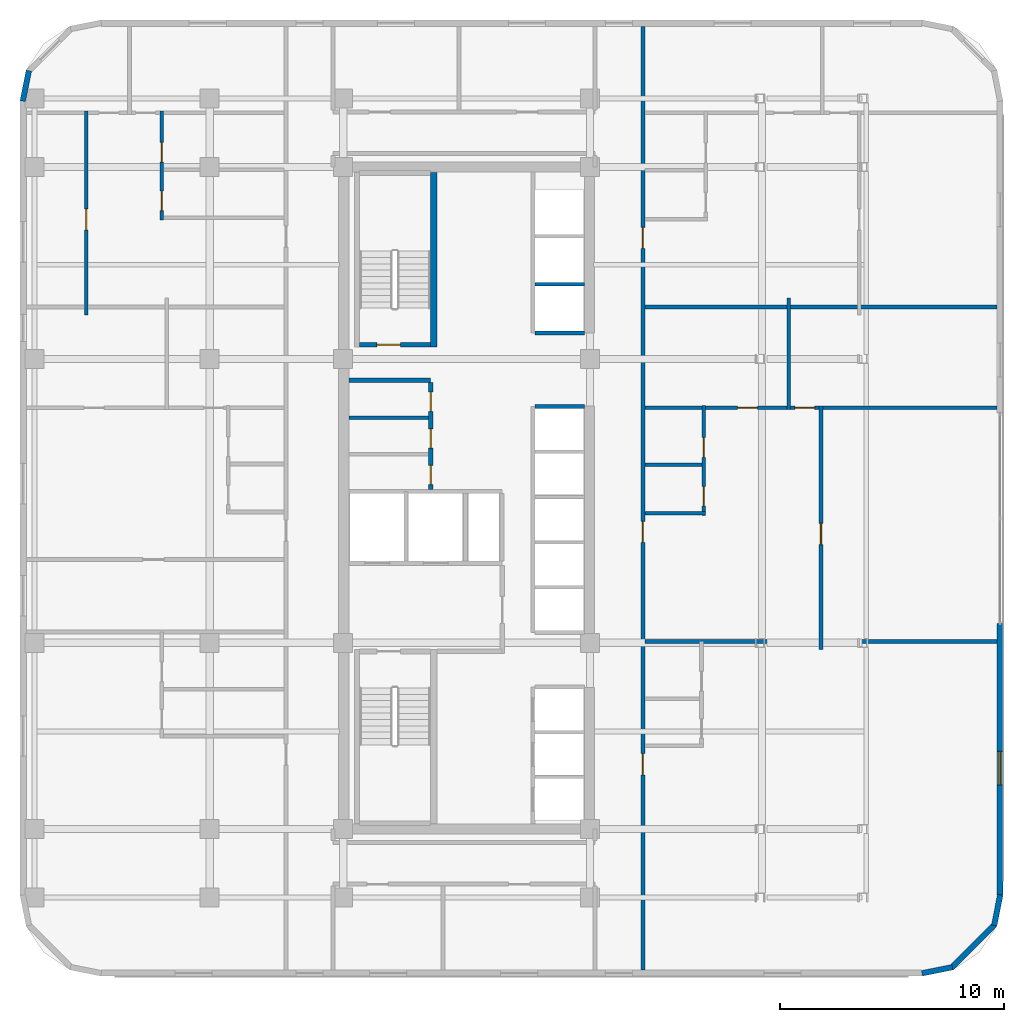
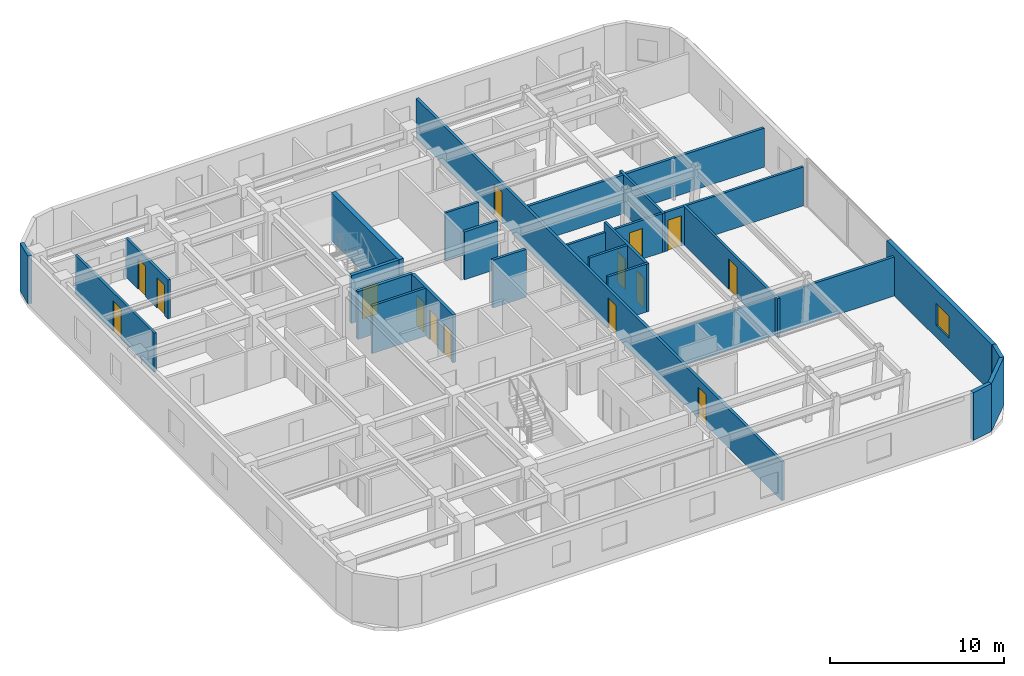
# One storey, part 6 of 12: 24 walls, 15 doors, 1 window, 16 openings.
"""IFC4 building model written with IfcOpenShell, lengths in metres."""

from ifc_helpers import new_model, si_unit, direction, frame, frame_2d, origin, place, context, subcontext, project, spatial, rectangle, extrude, material, layer, layer_set, type_object, element, fill, save


model = new_model("IFC4")

# Units and contexts
model_context = context("Model", 3, precision=1e-05, world=origin(), true_north=direction((0.0, 1.0)))
body_context = subcontext(model_context, "Body", "Model", "MODEL_VIEW")
ifc_project = project(units=[si_unit("LENGTHUNIT", "METRE"), si_unit("AREAUNIT", "SQUARE_METRE"), si_unit("VOLUMEUNIT", "CUBIC_METRE"), si_unit("PLANEANGLEUNIT", "RADIAN"), si_unit("MASSUNIT", "GRAM", prefix="KILO")], contexts=[model_context])

# Site, building, storey
site_placement = place(None, origin())
site = spatial("IfcSite", under=ifc_project, at=site_placement, CompositionType="ELEMENT")
building_placement = place(site_placement, origin())
building = spatial("IfcBuilding", under=site, at=building_placement, Name="Ochreholt Gables", CompositionType="ELEMENT")
storey_placement = place(building_placement, frame((0.0, 0.0, 80.39990234375)))
storey = spatial("IfcBuildingStorey", under=building, at=storey_placement, Name="L20", CompositionType="ELEMENT", Elevation=80.39990234375)

# Wall, opening, window
ifc_material_1 = material(Name="Precast concrete 40 MPa", Category="concrete")
ifc_layer_1 = layer(ifc_material_1, 0.280029296875, Name="Precast concrete 40 MPa")
ifc_layer_set_1 = layer_set([ifc_layer_1], Name="Precast concrete 40 MPa")
wall_type_1 = type_object("IfcWallType", Name="WALL-EXT-280", PredefinedType="SOLIDWALL", material=ifc_layer_set_1)
wall_1_placement = place(storey_placement, frame((53.4599609375, 6.320068359375, 0.0), z_axis=(0.0, 0.0, 1.0), x_axis=(0.0, 1.0, 0.0)))
wall_1 = element("IfcWall", 1, at=wall_1_placement, inside=storey, type_object=wall_type_1, Name="L20 East Facade Wall 1", PredefinedType="SOLIDWALL", context=body_context, shape_type="SweptSolid", body=[
    extrude(rectangle(XDim=12.079833984375, YDim=0.280029296875, at=frame_2d((6.0400390625, 0.0))), origin(), (0.0, 0.0, 1.0), 3.360107421875),
])
opening_1_placement = place(wall_1_placement, frame((4.89501953125, 0.0, 0.85009765625)))
opening_1 = element("IfcOpeningElement", 2, at=opening_1_placement, cuts=wall_1, Name="Opening WN-2", PredefinedType="OPENING", context=body_context, shape_type="SweptSolid", body=[
    extrude(rectangle(XDim=1.5, YDim=1.550048828125, at=frame_2d((0.75, 0.77490234375))), frame((0.0, 0.14990234375, 0.0), z_axis=(0.0, -1.0, 0.0), x_axis=(1.0, 0.0, 0.0)), (0.0, 0.0, 1.0), 0.300048828125),
])
ifc_material_2 = material(Name="Triple-Glazed Thermally Broken Aluminium Window", Category="aluminium")
window_type = type_object("IfcWindowType", Name="WIN-RES-1500", PartitioningType="SINGLE_PANEL", PredefinedType="WINDOW", material=ifc_material_2)
window_placement = place(opening_1_placement, origin())
window = element("IfcWindow", 3, at=window_placement, inside=storey, type_object=window_type, Name="L20 Window W-EXT-E1-L20-1", OverallHeight=1.550048828125, OverallWidth=1.5, PartitioningType="SINGLE_PANEL", PredefinedType="WINDOW", context=body_context, shape_type="SweptSolid", body=[
    extrude(rectangle(XDim=1.5, YDim=1.550048828125, at=frame_2d((0.75, 0.77490234375))), frame((0.0, 0.030029296875, 0.0), z_axis=(0.0, -1.0, 0.0), x_axis=(1.0, 0.0, 0.0)), (0.0, 0.0, 1.0), 0.06005859375),
])
fill(opening_1, window)

# Walls
ifc_layer_2 = layer(ifc_material_1, 0.25, Name="Precast concrete 40 MPa")
ifc_layer_set_2 = layer_set([ifc_layer_2], Name="Precast concrete 40 MPa")
wall_type_2 = type_object("IfcWallType", Name="WALL-EXT-CNR", PredefinedType="SOLIDWALL", material=ifc_layer_set_2)
wall_2_placement = place(storey_placement, frame((49.9833984375, 2.82421875, 0.0), z_axis=(0.0, 0.0, 1.0), x_axis=(0.980809899341, 0.19496651342, 0.0)))
element("IfcWall", 4, at=wall_2_placement, inside=storey, type_object=wall_type_2, Name="L20 Rounded Corner Wall SE-1", PredefinedType="SOLIDWALL", context=body_context, shape_type="SweptSolid", body=[
    extrude(rectangle(XDim=1.388671875, YDim=0.25, at=frame_2d((0.6943359375, 0.0))), origin(), (0.0, 0.0, 1.0), 3.360107421875),
])
wall_3_placement = place(storey_placement, frame((51.294921875, 3.068115234375, 0.0), z_axis=(0.0, 0.0, 1.0), x_axis=(0.707151344399, 0.707062215165, 0.0)))
element("IfcWall", 5, at=wall_3_placement, inside=storey, type_object=wall_type_2, Name="L20 Rounded Corner Wall SE-2", PredefinedType="SOLIDWALL", context=body_context, shape_type="SweptSolid", body=[
    extrude(rectangle(XDim=2.7392578125, YDim=0.25, at=frame_2d((1.36962890625, 0.0))), origin(), (0.0, 0.0, 1.0), 3.360107421875),
])
for number, where, z_axis, x_axis, name in (
    (6, (53.205078125, 4.95458984375, 0.0), (0.0, 0.0, 1.0), (0.195000137217, 0.980803214965, 0.0), "L20 Rounded Corner Wall SE-3"),
    (7, (10.195068359375, 43.04541015625, 0.0), (0.0, 0.0, 1.0), (-0.195000137217, -0.980803214965, 0.0), "L20 Rounded Corner Wall NW-3"),
):
    element("IfcWall", number, at=place(storey_placement, frame(where, z_axis=z_axis, x_axis=x_axis)), inside=storey, type_object=wall_type_2, Name=name, PredefinedType="SOLIDWALL", context=body_context, shape_type="SweptSolid", body=[
        extrude(rectangle(XDim=1.388427734375, YDim=0.25, at=frame_2d((0.6943359375, 0.0))), origin(), (0.0, 0.0, 1.0), 3.360107421875),
    ])
ifc_material_3 = material(Name="Concrete 40 MPa", Category="concrete")
ifc_layer_3 = layer(ifc_material_3, 0.199951171875, Name="Concrete 40 MPa")
ifc_layer_set_3 = layer_set([ifc_layer_3], Name="Concrete 40 MPa")
wall_type_3 = type_object("IfcWallType", Name="WALL-INT-CF200", PredefinedType="STANDARD", material=ifc_layer_set_3)
wall_4_placement = place(storey_placement, frame((24.449951171875, 29.239990234375, 0.0), z_axis=(0.0, 0.0, 1.0), x_axis=(1.0, 0.0, 0.0)))
element("IfcWall", 8, at=wall_4_placement, inside=storey, type_object=wall_type_3, Name="L20 Interior Wall WI-SRVN-L20", PredefinedType="STANDARD", context=body_context, shape_type="SweptSolid", body=[
    extrude(rectangle(XDim=3.650146484375, YDim=0.199951171875, at=frame_2d((1.8251953125, 0.0))), origin(), (0.0, 0.0, 1.0), 3.360107421875),
])

# Wall, openings, doors
wall_5_placement = place(storey_placement, frame((28.10009765625, 24.389892578125, 0.0), z_axis=(0.0, 0.0, 1.0), x_axis=(0.0, 1.0, 0.0)))
wall_5 = element("IfcWall", 9, at=wall_5_placement, inside=storey, type_object=wall_type_3, Name="L20 Interior Wall WI-SRVE-L20", PredefinedType="STANDARD", context=body_context, shape_type="SweptSolid", body=[
    extrude(rectangle(XDim=4.75, YDim=0.199951171875, at=frame_2d((2.375, 0.0))), origin(), (0.0, 0.0, 1.0), 3.360107421875),
])
opening_2_placement = place(wall_5_placement, frame((0.2099609375, 0.0, 0.0)))
opening_2 = element("IfcOpeningElement", 10, at=opening_2_placement, cuts=wall_5, Name="Opening D-SV2", PredefinedType="OPENING", context=body_context, shape_type="SweptSolid", body=[
    extrude(rectangle(XDim=0.860107421875, YDim=2.10009765625, at=frame_2d((0.43017578125, 1.050048828125))), frame((0.0, 0.10986328125, 0.0), z_axis=(0.0, -1.0, 0.0), x_axis=(1.0, 0.0, 0.0)), (0.0, 0.0, 1.0), 0.219970703125),
])
opening_3_placement = place(wall_5_placement, frame((1.830078125, 0.0, 0.0)))
opening_3 = element("IfcOpeningElement", 11, at=opening_3_placement, cuts=wall_5, Name="Opening D-SV2", PredefinedType="OPENING", context=body_context, shape_type="SweptSolid", body=[
    extrude(rectangle(XDim=0.860107421875, YDim=2.10009765625, at=frame_2d((0.43017578125, 1.050048828125))), frame((0.0, 0.10986328125, 0.0), z_axis=(0.0, -1.0, 0.0), x_axis=(1.0, 0.0, 0.0)), (0.0, 0.0, 1.0), 0.219970703125),
])
opening_4_placement = place(wall_5_placement, frame((3.469970703125, 0.0, 0.0)))
opening_4 = element("IfcOpeningElement", 12, at=opening_4_placement, cuts=wall_5, Name="Opening D-SV2", PredefinedType="OPENING", context=body_context, shape_type="SweptSolid", body=[
    extrude(rectangle(XDim=0.860107421875, YDim=2.10009765625, at=frame_2d((0.43017578125, 1.050048828125))), frame((0.0, 0.10986328125, 0.0), z_axis=(0.0, -1.0, 0.0), x_axis=(1.0, 0.0, 0.0)), (0.0, 0.0, 1.0), 0.219970703125),
])
ifc_material_4 = material(Name="Hollow Metal Steel", Category="steel")
door_type_1 = type_object("IfcDoorType", Name="DR-INT-SRV860", OperationType="NOTDEFINED", PredefinedType="DOOR", material=ifc_material_4)
door_1_placement = place(opening_2_placement, origin())
door_1 = element("IfcDoor", 13, at=door_1_placement, inside=storey, type_object=door_type_1, Name="L20 Door D-SRV1-L20", OperationType="SINGLE_SWING_LEFT", OverallHeight=2.10009765625, OverallWidth=0.860107421875, PredefinedType="DOOR", context=body_context, shape_type="SweptSolid", body=[
    extrude(rectangle(XDim=0.860107421875, YDim=2.10009765625, at=frame_2d((0.43017578125, 1.050048828125))), frame((0.0, 0.02490234375, 0.0), z_axis=(0.0, -1.0, 0.0), x_axis=(1.0, 0.0, 0.0)), (0.0, 0.0, 1.0), 0.050048828125),
])
fill(opening_2, door_1)
door_2_placement = place(opening_3_placement, origin())
door_2 = element("IfcDoor", 14, at=door_2_placement, inside=storey, type_object=door_type_1, Name="L20 Door D-SRV2-L20", OperationType="SINGLE_SWING_RIGHT", OverallHeight=2.10009765625, OverallWidth=0.860107421875, PredefinedType="DOOR", context=body_context, shape_type="SweptSolid", body=[
    extrude(rectangle(XDim=0.860107421875, YDim=2.10009765625, at=frame_2d((0.43017578125, 1.050048828125))), frame((0.0, 0.02490234375, 0.0), z_axis=(0.0, -1.0, 0.0), x_axis=(1.0, 0.0, 0.0)), (0.0, 0.0, 1.0), 0.050048828125),
])
fill(opening_3, door_2)
door_3_placement = place(opening_4_placement, origin())
door_3 = element("IfcDoor", 15, at=door_3_placement, inside=storey, type_object=door_type_1, Name="L20 Door D-SRV3-L20", OperationType="SINGLE_SWING_LEFT", OverallHeight=2.10009765625, OverallWidth=0.860107421875, PredefinedType="DOOR", context=body_context, shape_type="SweptSolid", body=[
    extrude(rectangle(XDim=0.860107421875, YDim=2.10009765625, at=frame_2d((0.43017578125, 1.050048828125))), frame((0.0, 0.02490234375, 0.0), z_axis=(0.0, -1.0, 0.0), x_axis=(1.0, 0.0, 0.0)), (0.0, 0.0, 1.0), 0.050048828125),
])
fill(opening_4, door_3)

ifc_material_5 = material(Name="Fire-Rated Gypsum Acoustic Partition", Category="gypsum")
ifc_layer_4 = layer(ifc_material_5, 0.179931640625, Name="Fire-Rated Gypsum Acoustic Partition")
ifc_layer_set_4 = layer_set([ifc_layer_4], Name="Fire-Rated Gypsum Acoustic Partition")
wall_type_4 = type_object("IfcWallType", Name="WALL-INT-CR180", PredefinedType="STANDARD", material=ifc_layer_set_4)
wall_6_placement = place(storey_placement, frame((37.550048828125, 2.97998046875, 0.0), z_axis=(0.0, 0.0, 1.0), x_axis=(0.0, 1.0, 0.0)))
wall_6 = element("IfcWall", 16, at=wall_6_placement, inside=storey, type_object=wall_type_4, Name="L20 Interior Wall WI-C1E-L20", PredefinedType="STANDARD", context=body_context, shape_type="SweptSolid", body=[
    extrude(rectangle(XDim=42.0400390625, YDim=0.179931640625, at=frame_2d((21.02001953125, 0.0))), origin(), (0.0, 0.0, 1.0), 2.731201171875),
])
opening_5_placement = place(wall_6_placement, frame((8.68994140625, 0.0, 0.0)))
opening_5 = element("IfcOpeningElement", 17, at=opening_5_placement, cuts=wall_6, Name="Opening D-UN2", PredefinedType="OPENING", context=body_context, shape_type="SweptSolid", body=[
    extrude(rectangle(XDim=0.93994140625, YDim=2.14990234375, at=frame_2d((0.469970703125, 1.074951171875))), frame((0.0, 0.099853515625, 0.0), z_axis=(0.0, -1.0, 0.0), x_axis=(1.0, 0.0, 0.0)), (0.0, 0.0, 1.0), 0.199951171875),
])
opening_6_placement = place(wall_6_placement, frame((19.04296875, 0.0, 0.0)))
opening_6 = element("IfcOpeningElement", 18, at=opening_6_placement, cuts=wall_6, Name="Opening D-UN2", PredefinedType="OPENING", context=body_context, shape_type="SweptSolid", body=[
    extrude(rectangle(XDim=0.93994140625, YDim=2.14990234375, at=frame_2d((0.469970703125, 1.074951171875))), frame((0.0, 0.099853515625, 0.0), z_axis=(0.0, -1.0, 0.0), x_axis=(1.0, 0.0, 0.0)), (0.0, 0.0, 1.0), 0.199951171875),
])
opening_7_placement = place(wall_6_placement, frame((32.14453125, 0.0, 0.0)))
opening_7 = element("IfcOpeningElement", 19, at=opening_7_placement, cuts=wall_6, Name="Opening D-UN2", PredefinedType="OPENING", context=body_context, shape_type="SweptSolid", body=[
    extrude(rectangle(XDim=0.93994140625, YDim=2.14990234375, at=frame_2d((0.469970703125, 1.074951171875))), frame((0.0, 0.099853515625, 0.0), z_axis=(0.0, -1.0, 0.0), x_axis=(1.0, 0.0, 0.0)), (0.0, 0.0, 1.0), 0.199951171875),
])
ifc_material_6 = material(Name="Engineered Oak Timber", Category="wood")
door_type_2 = type_object("IfcDoorType", Name="DR-INT-UNT940", OperationType="NOTDEFINED", PredefinedType="DOOR", material=ifc_material_6)
door_4_placement = place(opening_5_placement, origin())
door_4 = element("IfcDoor", 20, at=door_4_placement, inside=storey, type_object=door_type_2, Name="L20 Door D-U-L20E1-ENT", OperationType="SINGLE_SWING_RIGHT", OverallHeight=2.14990234375, OverallWidth=0.93994140625, PredefinedType="DOOR", context=body_context, shape_type="SweptSolid", body=[
    extrude(rectangle(XDim=0.93994140625, YDim=2.14990234375, at=frame_2d((0.469970703125, 1.074951171875))), frame((0.0, 0.02490234375, 0.0), z_axis=(0.0, -1.0, 0.0), x_axis=(1.0, 0.0, 0.0)), (0.0, 0.0, 1.0), 0.050048828125),
])
fill(opening_5, door_4)
door_5_placement = place(opening_6_placement, origin())
door_5 = element("IfcDoor", 21, at=door_5_placement, inside=storey, type_object=door_type_2, Name="L20 Door D-U-L20E2-ENT", OperationType="SINGLE_SWING_LEFT", OverallHeight=2.14990234375, OverallWidth=0.93994140625, PredefinedType="DOOR", context=body_context, shape_type="SweptSolid", body=[
    extrude(rectangle(XDim=0.93994140625, YDim=2.14990234375, at=frame_2d((0.469970703125, 1.074951171875))), frame((0.0, 0.02490234375, 0.0), z_axis=(0.0, -1.0, 0.0), x_axis=(1.0, 0.0, 0.0)), (0.0, 0.0, 1.0), 0.050048828125),
])
fill(opening_6, door_5)
door_6_placement = place(opening_7_placement, origin())
door_6 = element("IfcDoor", 22, at=door_6_placement, inside=storey, type_object=door_type_2, Name="L20 Door D-U-L20E3-ENT", OperationType="SINGLE_SWING_RIGHT", OverallHeight=2.14990234375, OverallWidth=0.93994140625, PredefinedType="DOOR", context=body_context, shape_type="SweptSolid", body=[
    extrude(rectangle(XDim=0.93994140625, YDim=2.14990234375, at=frame_2d((0.469970703125, 1.074951171875))), frame((0.0, 0.02490234375, 0.0), z_axis=(0.0, -1.0, 0.0), x_axis=(1.0, 0.0, 0.0)), (0.0, 0.0, 1.0), 0.050048828125),
])
fill(opening_7, door_6)

# Walls
ifc_material_7 = material(Name="Double-Stud Acoustic Demising Wall", Category="gypsum")
ifc_layer_5 = layer(ifc_material_7, 0.179931640625, Name="Double-Stud Acoustic Demising Wall")
ifc_layer_set_5 = layer_set([ifc_layer_5], Name="Double-Stud Acoustic Demising Wall")
wall_type_5 = type_object("IfcWallType", Name="WALL-INT-DM180", PredefinedType="PARTITIONING", material=ifc_layer_set_5)
for number, where, z_axis, x_axis, name in (
    (23, (37.639892578125, 17.610107421875, 0.0), (0.0, 0.0, 1.0), (1.0, 0.0, 0.0), "L20 Interior Wall WI-UDE2-L20"),
    (24, (37.639892578125, 32.52001953125, 0.0), (0.0, 0.0, 1.0), (1.0, 0.0, 0.0), "L20 Interior Wall WI-UDE3-L20"),
):
    element("IfcWall", number, at=place(storey_placement, frame(where, z_axis=z_axis, x_axis=x_axis)), inside=storey, type_object=wall_type_5, Name=name, PredefinedType="PARTITIONING", context=body_context, shape_type="SweptSolid", body=[
        extrude(rectangle(XDim=15.68017578125, YDim=0.179931640625, at=frame_2d((7.840087890625, 0.0))), origin(), (0.0, 0.0, 1.0), 2.731201171875),
    ])
ifc_material_8 = material(Name="Moisture-Resistant Plumbing Chase Wall", Category="gypsum")
ifc_layer_6 = layer(ifc_material_8, 0.159912109375, Name="Moisture-Resistant Plumbing Chase Wall")
ifc_layer_set_6 = layer_set([ifc_layer_6], Name="Moisture-Resistant Plumbing Chase Wall")
wall_type_6 = type_object("IfcWallType", Name="WALL-INT-PL160", PredefinedType="PLUMBINGWALL", material=ifc_layer_set_6)
wall_7_placement = place(storey_placement, frame((37.639892578125, 23.322998046875, 0.0), z_axis=(0.0, 0.0, 1.0), x_axis=(1.0, 0.0, 0.0)))
element("IfcWall", 25, at=wall_7_placement, inside=storey, type_object=wall_type_6, Name="L20 Interior Wall WU-L20E2-FYS", PredefinedType="PLUMBINGWALL", context=body_context, shape_type="SweptSolid", body=[
    extrude(rectangle(XDim=2.712158203125, YDim=0.159912109375, at=frame_2d((1.35595703125, 0.0))), origin(), (0.0, 0.0, 1.0), 3.360107421875),
])

# Wall, openings, doors
wall_8_placement = place(storey_placement, frame((40.27197265625, 23.23291015625, 0.0), z_axis=(0.0, 0.0, 1.0), x_axis=(0.0, 1.0, 0.0)))
wall_8 = element("IfcWall", 26, at=wall_8_placement, inside=storey, type_object=wall_type_6, Name="L20 Interior Wall WU-L20E2-WX", PredefinedType="PLUMBINGWALL", context=body_context, shape_type="SweptSolid", body=[
    extrude(rectangle(XDim=4.88720703125, YDim=0.159912109375, at=frame_2d((2.443603515625, 0.0))), origin(), (0.0, 0.0, 1.0), 3.360107421875),
])
opening_8_placement = place(wall_8_placement, frame((0.419921875, 0.0, 0.0)))
opening_8 = element("IfcOpeningElement", 27, at=opening_8_placement, cuts=wall_8, Name="Opening D-BT1", PredefinedType="OPENING", context=body_context, shape_type="SweptSolid", body=[
    extrude(rectangle(XDim=0.860107421875, YDim=2.1201171875, at=frame_2d((0.43017578125, 1.06005859375))), frame((0.0, 0.08984375, 0.0), z_axis=(0.0, -1.0, 0.0), x_axis=(1.0, 0.0, 0.0)), (0.0, 0.0, 1.0), 0.179931640625),
])
opening_9_placement = place(wall_8_placement, frame((2.585205078125, 0.0, 0.0)))
opening_9 = element("IfcOpeningElement", 28, at=opening_9_placement, cuts=wall_8, Name="Opening D-GN2", PredefinedType="OPENING", context=body_context, shape_type="SweptSolid", body=[
    extrude(rectangle(XDim=0.8798828125, YDim=2.1201171875, at=frame_2d((0.43994140625, 1.06005859375))), frame((0.0, 0.08984375, 0.0), z_axis=(0.0, -1.0, 0.0), x_axis=(1.0, 0.0, 0.0)), (0.0, 0.0, 1.0), 0.179931640625),
])
door_type_3 = type_object("IfcDoorType", Name="DR-INT-BTH860", OperationType="NOTDEFINED", PredefinedType="DOOR", material=ifc_material_6)
door_7_placement = place(opening_8_placement, origin())
door_7 = element("IfcDoor", 29, at=door_7_placement, inside=storey, type_object=door_type_3, Name="L20 Door D-U-L20E2-BTH", OperationType="SINGLE_SWING_RIGHT", OverallHeight=2.1201171875, OverallWidth=0.860107421875, PredefinedType="DOOR", context=body_context, shape_type="SweptSolid", body=[
    extrude(rectangle(XDim=0.860107421875, YDim=2.1201171875, at=frame_2d((0.43017578125, 1.06005859375))), frame((0.0, 0.02490234375, 0.0), z_axis=(0.0, -1.0, 0.0), x_axis=(1.0, 0.0, 0.0)), (0.0, 0.0, 1.0), 0.050048828125),
])
fill(opening_8, door_7)
door_type_4 = type_object("IfcDoorType", Name="DR-INT-GEN880", OperationType="NOTDEFINED", PredefinedType="DOOR", material=ifc_material_6)
door_8_placement = place(opening_9_placement, origin())
door_8 = element("IfcDoor", 30, at=door_8_placement, inside=storey, type_object=door_type_4, Name="L20 Door D-U-L20E2-KIT", OperationType="SINGLE_SWING_LEFT", OverallHeight=2.1201171875, OverallWidth=0.8798828125, PredefinedType="DOOR", context=body_context, shape_type="SweptSolid", body=[
    extrude(rectangle(XDim=0.8798828125, YDim=2.1201171875, at=frame_2d((0.43994140625, 1.06005859375))), frame((0.0, 0.02490234375, 0.0), z_axis=(0.0, -1.0, 0.0), x_axis=(1.0, 0.0, 0.0)), (0.0, 0.0, 1.0), 0.050048828125),
])
fill(opening_9, door_8)

# Wall
wall_9_placement = place(storey_placement, frame((37.639892578125, 25.48828125, 0.0), z_axis=(0.0, 0.0, 1.0), x_axis=(1.0, 0.0, 0.0)))
element("IfcWall", 31, at=wall_9_placement, inside=storey, type_object=wall_type_6, Name="L20 Interior Wall WU-L20E2-WK", PredefinedType="PLUMBINGWALL", context=body_context, shape_type="SweptSolid", body=[
    extrude(rectangle(XDim=2.552001953125, YDim=0.159912109375, at=frame_2d((1.27587890625, 0.0))), origin(), (0.0, 0.0, 1.0), 3.360107421875),
])

# Wall, openings, doors
wall_10_placement = place(storey_placement, frame((16.110107421875, 36.3916015625, 0.0), z_axis=(0.0, 0.0, 1.0), x_axis=(0.0, 1.0, 0.0)))
wall_10 = element("IfcWall", 32, at=wall_10_placement, inside=storey, type_object=wall_type_6, Name="L20 Interior Wall WU-L20W3-WX", PredefinedType="PLUMBINGWALL", context=body_context, shape_type="SweptSolid", body=[
    extrude(rectangle(XDim=4.8583984375, YDim=0.159912109375, at=frame_2d((2.42919921875, 0.0))), origin(), (0.0, 0.0, 1.0), 2.731201171875),
])
opening_10_placement = place(wall_10_placement, frame((0.419921875, 0.0, 0.0)))
opening_10 = element("IfcOpeningElement", 33, at=opening_10_placement, cuts=wall_10, Name="Opening D-BT1", PredefinedType="OPENING", context=body_context, shape_type="SweptSolid", body=[
    extrude(rectangle(XDim=0.860107421875, YDim=2.1201171875, at=frame_2d((0.43017578125, 1.06005859375))), frame((0.0, 0.08984375, 0.0), z_axis=(0.0, -1.0, 0.0), x_axis=(1.0, 0.0, 0.0)), (0.0, 0.0, 1.0), 0.179931640625),
])
opening_11_placement = place(wall_10_placement, frame((2.572021484375, 0.0, 0.0)))
opening_11 = element("IfcOpeningElement", 34, at=opening_11_placement, cuts=wall_10, Name="Opening D-GN2", PredefinedType="OPENING", context=body_context, shape_type="SweptSolid", body=[
    extrude(rectangle(XDim=0.8798828125, YDim=2.1201171875, at=frame_2d((0.43994140625, 1.06005859375))), frame((0.0, 0.08984375, 0.0), z_axis=(0.0, -1.0, 0.0), x_axis=(1.0, 0.0, 0.0)), (0.0, 0.0, 1.0), 0.179931640625),
])
door_9_placement = place(opening_10_placement, origin())
door_9 = element("IfcDoor", 35, at=door_9_placement, inside=storey, type_object=door_type_3, Name="L20 Door D-U-L20W3-BTH", OperationType="SINGLE_SWING_RIGHT", OverallHeight=2.1201171875, OverallWidth=0.860107421875, PredefinedType="DOOR", context=body_context, shape_type="SweptSolid", body=[
    extrude(rectangle(XDim=0.860107421875, YDim=2.1201171875, at=frame_2d((0.43017578125, 1.06005859375))), frame((0.0, 0.02490234375, 0.0), z_axis=(0.0, -1.0, 0.0), x_axis=(1.0, 0.0, 0.0)), (0.0, 0.0, 1.0), 0.050048828125),
])
fill(opening_10, door_9)
door_10_placement = place(opening_11_placement, origin())
door_10 = element("IfcDoor", 36, at=door_10_placement, inside=storey, type_object=door_type_4, Name="L20 Door D-U-L20W3-KIT", OperationType="SINGLE_SWING_LEFT", OverallHeight=2.1201171875, OverallWidth=0.8798828125, PredefinedType="DOOR", context=body_context, shape_type="SweptSolid", body=[
    extrude(rectangle(XDim=0.8798828125, YDim=2.1201171875, at=frame_2d((0.43994140625, 1.06005859375))), frame((0.0, 0.02490234375, 0.0), z_axis=(0.0, -1.0, 0.0), x_axis=(1.0, 0.0, 0.0)), (0.0, 0.0, 1.0), 0.050048828125),
])
fill(opening_11, door_10)

# Wall
ifc_material_9 = material(Name="Gypsum Acoustic Stud Partition", Category="gypsum")
ifc_layer_7 = layer(ifc_material_9, 0.159912109375, Name="Gypsum Acoustic Stud Partition")
ifc_layer_set_7 = layer_set([ifc_layer_7], Name="Gypsum Acoustic Stud Partition")
wall_type_7 = type_object("IfcWallType", Name="WALL-INT-PT160", PredefinedType="PARTITIONING", material=ifc_layer_set_7)
wall_11_placement = place(storey_placement, frame((24.449951171875, 27.580078125, 0.0), z_axis=(0.0, 0.0, 1.0), x_axis=(1.0, 0.0, 0.0)))
element("IfcWall", 37, at=wall_11_placement, inside=storey, type_object=wall_type_7, Name="L20 Interior Wall WI-SRVP2-L20", PredefinedType="PARTITIONING", context=body_context, shape_type="SweptSolid", body=[
    extrude(rectangle(XDim=3.550048828125, YDim=0.159912109375, at=frame_2d((1.77490234375, 0.0))), origin(), (0.0, 0.0, 1.0), 3.360107421875),
])

# Wall, openings, doors
wall_12_placement = place(storey_placement, frame((37.639892578125, 28.030029296875, 0.0), z_axis=(0.0, 0.0, 1.0), x_axis=(1.0, 0.0, 0.0)))
wall_12 = element("IfcWall", 38, at=wall_12_placement, inside=storey, type_object=wall_type_7, Name="L20 Interior Wall WU-L20E2-MN", PredefinedType="PARTITIONING", context=body_context, shape_type="SweptSolid", body=[
    extrude(rectangle(XDim=15.68017578125, YDim=0.159912109375, at=frame_2d((7.840087890625, 0.0))), origin(), (0.0, 0.0, 1.0), 2.731201171875),
])
opening_12_placement = place(wall_12_placement, frame((4.131103515625, 0.0, 0.0)))
opening_12 = element("IfcOpeningElement", 39, at=opening_12_placement, cuts=wall_12, Name="Opening D-BD2", PredefinedType="OPENING", context=body_context, shape_type="SweptSolid", body=[
    extrude(rectangle(XDim=0.8798828125, YDim=2.139892578125, at=frame_2d((0.43994140625, 1.06982421875))), frame((0.0, 0.08984375, 0.0), z_axis=(0.0, -1.0, 0.0), x_axis=(1.0, 0.0, 0.0)), (0.0, 0.0, 1.0), 0.179931640625),
])
opening_13_placement = place(wall_12_placement, frame((6.6904296875, 0.0, 0.0)))
opening_13 = element("IfcOpeningElement", 40, at=opening_13_placement, cuts=wall_12, Name="Opening D-BD2", PredefinedType="OPENING", context=body_context, shape_type="SweptSolid", body=[
    extrude(rectangle(XDim=0.8798828125, YDim=2.139892578125, at=frame_2d((0.43994140625, 1.06982421875))), frame((0.0, 0.08984375, 0.0), z_axis=(0.0, -1.0, 0.0), x_axis=(1.0, 0.0, 0.0)), (0.0, 0.0, 1.0), 0.179931640625),
])
door_type_5 = type_object("IfcDoorType", Name="DR-INT-BED880", OperationType="NOTDEFINED", PredefinedType="DOOR", material=ifc_material_6)
door_11_placement = place(opening_12_placement, origin())
door_11 = element("IfcDoor", 41, at=door_11_placement, inside=storey, type_object=door_type_5, Name="L20 Door D-U-L20E2-BD1", OperationType="SINGLE_SWING_LEFT", OverallHeight=2.139892578125, OverallWidth=0.8798828125, PredefinedType="DOOR", context=body_context, shape_type="SweptSolid", body=[
    extrude(rectangle(XDim=0.8798828125, YDim=2.139892578125, at=frame_2d((0.43994140625, 1.06982421875))), frame((0.0, 0.02490234375, 0.0), z_axis=(0.0, -1.0, 0.0), x_axis=(1.0, 0.0, 0.0)), (0.0, 0.0, 1.0), 0.050048828125),
])
fill(opening_12, door_11)
door_12_placement = place(opening_13_placement, origin())
door_12 = element("IfcDoor", 42, at=door_12_placement, inside=storey, type_object=door_type_5, Name="L20 Door D-U-L20E2-BD2", OperationType="SINGLE_SWING_RIGHT", OverallHeight=2.139892578125, OverallWidth=0.8798828125, PredefinedType="DOOR", context=body_context, shape_type="SweptSolid", body=[
    extrude(rectangle(XDim=0.8798828125, YDim=2.139892578125, at=frame_2d((0.43994140625, 1.06982421875))), frame((0.0, 0.02490234375, 0.0), z_axis=(0.0, -1.0, 0.0), x_axis=(1.0, 0.0, 0.0)), (0.0, 0.0, 1.0), 0.050048828125),
])
fill(opening_13, door_12)

# Wall, opening, door
wall_13_placement = place(storey_placement, frame((45.490478515625, 17.25, 0.0), z_axis=(0.0, 0.0, 1.0), x_axis=(0.0, 1.0, 0.0)))
wall_13 = element("IfcWall", 43, at=wall_13_placement, inside=storey, type_object=wall_type_7, Name="L20 Interior Wall WU-L20E2-DNV", PredefinedType="PARTITIONING", context=body_context, shape_type="SweptSolid", body=[
    extrude(rectangle(XDim=10.860107421875, YDim=0.159912109375, at=frame_2d((5.43017578125, 0.0))), origin(), (0.0, 0.0, 1.0), 2.731201171875),
])
opening_14_placement = place(wall_13_placement, frame((4.669921875, 0.0, 0.0)))
opening_14 = element("IfcOpeningElement", 44, at=opening_14_placement, cuts=wall_13, Name="Opening D-GN1", PredefinedType="OPENING", context=body_context, shape_type="SweptSolid", body=[
    extrude(rectangle(XDim=0.949951171875, YDim=2.14990234375, at=frame_2d((0.47509765625, 1.074951171875))), frame((0.0, 0.08984375, 0.0), z_axis=(0.0, -1.0, 0.0), x_axis=(1.0, 0.0, 0.0)), (0.0, 0.0, 1.0), 0.179931640625),
])
door_type_6 = type_object("IfcDoorType", Name="DR-INT-GEN950", OperationType="NOTDEFINED", PredefinedType="DOOR", material=ifc_material_6)
door_13_placement = place(opening_14_placement, origin())
door_13 = element("IfcDoor", 45, at=door_13_placement, inside=storey, type_object=door_type_6, Name="L20 Door D-U-L20E2-DIN", OperationType="SINGLE_SWING_RIGHT", OverallHeight=2.14990234375, OverallWidth=0.949951171875, PredefinedType="DOOR", context=body_context, shape_type="SweptSolid", body=[
    extrude(rectangle(XDim=0.949951171875, YDim=2.14990234375, at=frame_2d((0.47509765625, 1.074951171875))), frame((0.0, 0.02490234375, 0.0), z_axis=(0.0, -1.0, 0.0), x_axis=(1.0, 0.0, 0.0)), (0.0, 0.0, 1.0), 0.050048828125),
])
fill(opening_14, door_13)

# Wall
wall_14_placement = place(storey_placement, frame((44.060546875, 27.949951171875, 0.0), z_axis=(0.0, 0.0, 1.0), x_axis=(0.0, 1.0, 0.0)))
element("IfcWall", 46, at=wall_14_placement, inside=storey, type_object=wall_type_7, Name="L20 Interior Wall WU-L20E2-BSD", PredefinedType="PARTITIONING", context=body_context, shape_type="SweptSolid", body=[
    extrude(rectangle(XDim=4.9599609375, YDim=0.159912109375, at=frame_2d((2.47998046875, 0.0))), origin(), (0.0, 0.0, 1.0), 2.731201171875),
])

# Wall, opening, door
wall_15_placement = place(storey_placement, frame((12.75, 32.159912109375, 0.0), z_axis=(0.0, 0.0, 1.0), x_axis=(0.0, 1.0, 0.0)))
wall_15 = element("IfcWall", 47, at=wall_15_placement, inside=storey, type_object=wall_type_7, Name="L20 Interior Wall WU-L20W3-DNV", PredefinedType="PARTITIONING", context=body_context, shape_type="SweptSolid", body=[
    extrude(rectangle(XDim=9.080078125, YDim=0.159912109375, at=frame_2d((4.5400390625, 0.0))), origin(), (0.0, 0.0, 1.0), 2.731201171875),
])
opening_15_placement = place(wall_15_placement, frame((3.780029296875, 0.0, 0.0)))
opening_15 = element("IfcOpeningElement", 48, at=opening_15_placement, cuts=wall_15, Name="Opening D-GN1", PredefinedType="OPENING", context=body_context, shape_type="SweptSolid", body=[
    extrude(rectangle(XDim=0.949951171875, YDim=2.14990234375, at=frame_2d((0.47509765625, 1.074951171875))), frame((0.0, 0.08984375, 0.0), z_axis=(0.0, -1.0, 0.0), x_axis=(1.0, 0.0, 0.0)), (0.0, 0.0, 1.0), 0.179931640625),
])
door_14_placement = place(opening_15_placement, origin())
door_14 = element("IfcDoor", 49, at=door_14_placement, inside=storey, type_object=door_type_6, Name="L20 Door D-U-L20W3-DIN", OperationType="SINGLE_SWING_RIGHT", OverallHeight=2.14990234375, OverallWidth=0.949951171875, PredefinedType="DOOR", context=body_context, shape_type="SweptSolid", body=[
    extrude(rectangle(XDim=0.949951171875, YDim=2.14990234375, at=frame_2d((0.47509765625, 1.074951171875))), frame((0.0, 0.02490234375, 0.0), z_axis=(0.0, -1.0, 0.0), x_axis=(1.0, 0.0, 0.0)), (0.0, 0.0, 1.0), 0.050048828125),
])
fill(opening_15, door_14)

# Walls
ifc_material_10 = material(Name="Gypsum Shaftliner and Steel Stud", Category="steel")
ifc_layer_8 = layer(ifc_material_10, 0.14990234375, Name="Gypsum Shaftliner and Steel Stud")
ifc_layer_set_8 = layer_set([ifc_layer_8], Name="Gypsum Shaftliner and Steel Stud")
wall_type_8 = type_object("IfcWallType", Name="WALL-INT-SH150", PredefinedType="STANDARD", material=ifc_layer_set_8)
wall_16_placement = place(storey_placement, frame((32.739990234375, 33.52001953125, 0.0), z_axis=(0.0, 0.0, 1.0), x_axis=(1.0, 0.0, 0.0)))
element("IfcWall", 50, at=wall_16_placement, inside=storey, type_object=wall_type_8, Name="L20 Interior Wall WI-LFM-D1-L20", PredefinedType="STANDARD", context=body_context, shape_type="SweptSolid", body=[
    extrude(rectangle(XDim=2.2099609375, YDim=0.14990234375, at=frame_2d((1.10498046875, 0.0))), origin(), (0.0, 0.0, 1.0), 3.360107421875),
])
ifc_layer_9 = layer(ifc_material_10, 0.179931640625, Name="Gypsum Shaftliner and Steel Stud")
ifc_layer_set_9 = layer_set([ifc_layer_9], Name="Gypsum Shaftliner and Steel Stud")
wall_type_9 = type_object("IfcWallType", Name="WALL-INT-SH180", PredefinedType="STANDARD", material=ifc_layer_set_9)
for number, where, z_axis, x_axis, name in (
    (51, (32.739990234375, 28.080078125, 0.0), (0.0, 0.0, 1.0), (1.0, 0.0, 0.0), "L20 Interior Wall WI-LFHE-N-L20"),
    (52, (32.739990234375, 31.35009765625, 0.0), (0.0, 0.0, 1.0), (1.0, 0.0, 0.0), "L20 Interior Wall WI-LFM-S-L20"),
):
    element("IfcWall", number, at=place(storey_placement, frame(where, z_axis=z_axis, x_axis=x_axis)), inside=storey, type_object=wall_type_9, Name=name, PredefinedType="STANDARD", context=body_context, shape_type="SweptSolid", body=[
        extrude(rectangle(XDim=2.2099609375, YDim=0.179931640625, at=frame_2d((1.10498046875, 0.0))), origin(), (0.0, 0.0, 1.0), 3.360107421875),
    ])
ifc_material_11 = material(Name="Concrete 60 MPa", Category="concrete")
ifc_layer_10 = layer(ifc_material_11, 0.300048828125, Name="Concrete 60 MPa")
ifc_layer_set_10 = layer_set([ifc_layer_10], Name="Concrete 60 MPa")
wall_type_10 = type_object("IfcWallType", Name="WALL-SPN-300", PredefinedType="SHEAR", material=ifc_layer_set_10)
wall_17_placement = place(storey_placement, frame((28.22998046875, 30.739990234375, 0.0), z_axis=(0.0, 0.0, 1.0), x_axis=(0.0, 1.0, 0.0)))
element("IfcWall", 53, at=wall_17_placement, inside=storey, type_object=wall_type_10, Name="L20 Core North Spine Shear Wall", PredefinedType="SHEAR", context=body_context, shape_type="SweptSolid", body=[
    extrude(rectangle(XDim=7.760009765625, YDim=0.300048828125, at=frame_2d((3.8798828125, 0.0))), origin(), (0.0, 0.0, 1.0), 3.360107421875),
])

# Wall, opening, door
ifc_material_12 = material(Name="Concrete 50 MPa", Category="concrete")
ifc_layer_11 = layer(ifc_material_12, 0.219970703125, Name="Concrete 50 MPa")
ifc_layer_set_11 = layer_set([ifc_layer_11], Name="Concrete 50 MPa")
wall_type_11 = type_object("IfcWallType", Name="WALL-STW-220", PredefinedType="SHEAR", material=ifc_layer_set_11)
wall_18_placement = place(storey_placement, frame((24.919921875, 30.830078125, 0.0), z_axis=(0.0, 0.0, 1.0), x_axis=(1.0, 0.0, 0.0)))
wall_18 = element("IfcWall", 54, at=wall_18_placement, inside=storey, type_object=wall_type_11, Name="L20 Exit Stair 2 South Wall", PredefinedType="SHEAR", context=body_context, shape_type="SweptSolid", body=[
    extrude(rectangle(XDim=3.16015625, YDim=0.219970703125, at=frame_2d((1.580078125, 0.0))), origin(), (0.0, 0.0, 1.0), 3.360107421875),
])
opening_16_placement = place(wall_18_placement, frame((0.780029296875, 0.0, 0.0)))
opening_16 = element("IfcOpeningElement", 55, at=opening_16_placement, cuts=wall_18, Name="Opening D-STC", PredefinedType="OPENING", context=body_context, shape_type="SweptSolid", body=[
    extrude(rectangle(XDim=1.050048828125, YDim=2.14990234375, at=frame_2d((0.52490234375, 1.074951171875))), frame((0.0, 0.119873046875, 0.0), z_axis=(0.0, -1.0, 0.0), x_axis=(1.0, 0.0, 0.0)), (0.0, 0.0, 1.0), 0.239990234375),
])
door_type_7 = type_object("IfcDoorType", Name="DR-INT-ST1050", OperationType="NOTDEFINED", PredefinedType="DOOR", material=ifc_material_4)
door_15_placement = place(opening_16_placement, origin())
door_15 = element("IfcDoor", 56, at=door_15_placement, inside=storey, type_object=door_type_7, Name="L20 Door D-ST2-L20", OperationType="SINGLE_SWING_RIGHT", OverallHeight=2.14990234375, OverallWidth=1.050048828125, PredefinedType="DOOR", context=body_context, shape_type="SweptSolid", body=[
    extrude(rectangle(XDim=1.050048828125, YDim=2.14990234375, at=frame_2d((0.52490234375, 1.074951171875))), frame((0.0, 0.02490234375, 0.0), z_axis=(0.0, -1.0, 0.0), x_axis=(1.0, 0.0, 0.0)), (0.0, 0.0, 1.0), 0.050048828125),
])
fill(opening_16, door_15)

save(model, "model.ifc")
